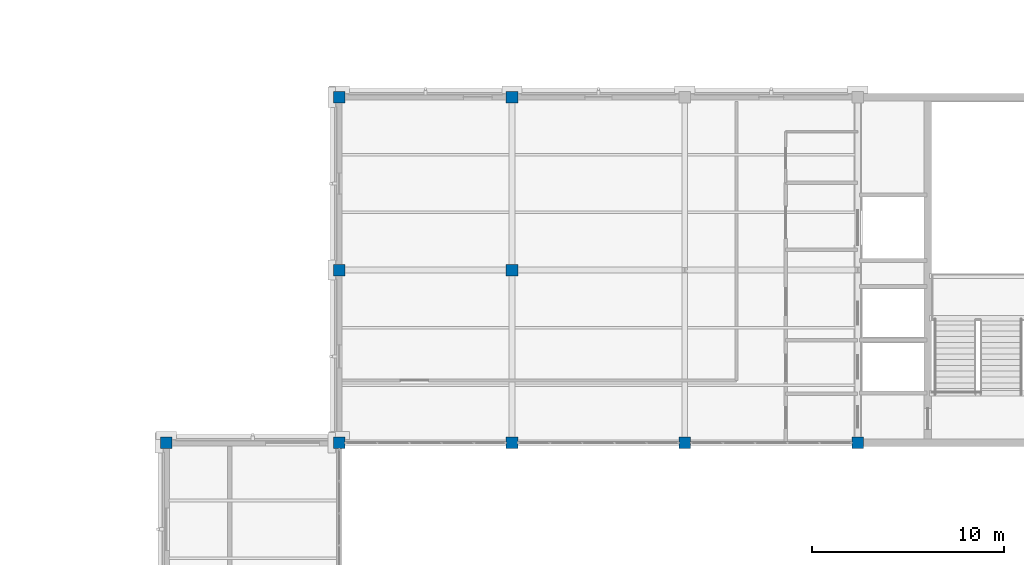
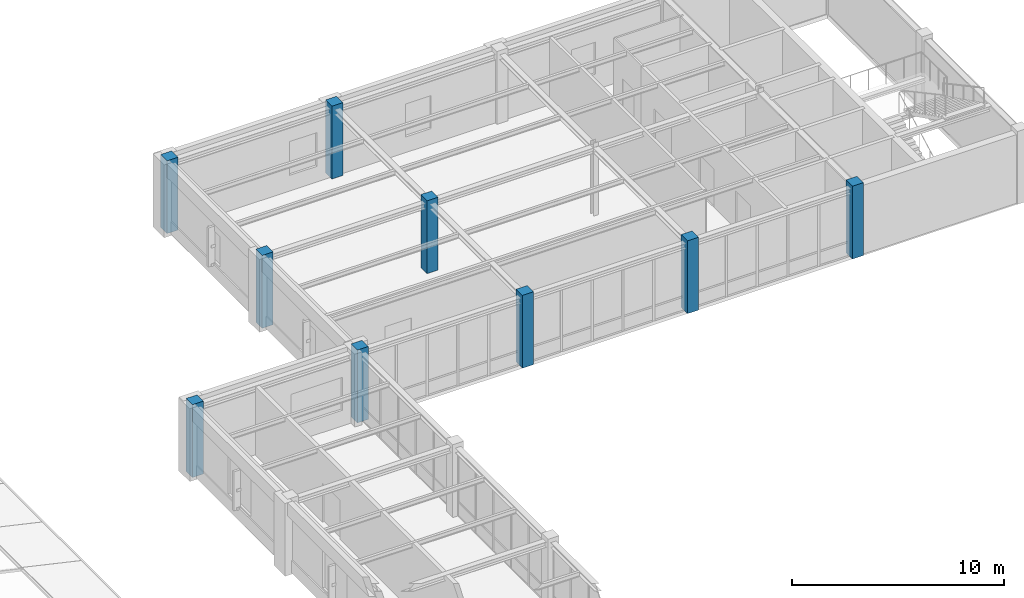
# One storey, part 10 of 130: 9 columns.
"""IFC4 building model written with IfcOpenShell, lengths in metres."""

from ifc_helpers import new_model, si_unit, direction, frame, origin, origin_2d, place, context, subcontext, project, spatial, rectangle, extrude, material, material_profile, profile_set, type_object, element, save


model = new_model("IFC4")

# Units and contexts
model_context = context("Model", 3, precision=1e-05, world=origin(), true_north=direction((0.0, 1.0)))
body_context = subcontext(model_context, "Body", "Model", "MODEL_VIEW")
ifc_project = project(units=[si_unit("LENGTHUNIT", "METRE"), si_unit("AREAUNIT", "SQUARE_METRE"), si_unit("VOLUMEUNIT", "CUBIC_METRE"), si_unit("PLANEANGLEUNIT", "RADIAN"), si_unit("MASSUNIT", "GRAM", prefix="KILO")], contexts=[model_context])

# Site, building, storey
site_placement = place(None, origin())
site = spatial("IfcSite", under=ifc_project, at=site_placement, CompositionType="ELEMENT")
building_placement = place(site_placement, origin())
building = spatial("IfcBuilding", under=site, at=building_placement, Name="Lykobir Media Centre", CompositionType="ELEMENT")
storey_placement = place(building_placement, frame((0.0, 0.0, 19.199951171875)))
storey = spatial("IfcBuildingStorey", under=building, at=storey_placement, Name="L04", CompositionType="ELEMENT", Elevation=19.199951171875)

# Columns
ifc_material = material(Name="Concrete C40/50", Category="concrete")
ifc_material_profile_1 = material_profile(ifc_material, rectangle(XDim=0.60009765625, YDim=0.60009765625, at=origin_2d()), Name="RC 600x600")
ifc_profile_set_1 = profile_set([ifc_material_profile_1], Name="Concrete C40/50")
column_type_1 = type_object("IfcColumnType", Name="RC-C600", PredefinedType="COLUMN", material=ifc_profile_set_1)
for number, where, z_axis, x_axis, name in (
    (1, (99.0, 72.0, 0.0), (0.0, 0.0, 1.0), (1.0, 0.0, 0.0), "Column COL-L04-0990-0720"),
    (2, (99.0, 81.0, 0.0), (0.0, 0.0, 1.0), (1.0, 0.0, 0.0), "Column COL-L04-0990-0810"),
    (3, (99.0, 90.0, 0.0), (0.0, 0.0, 1.0), (1.0, 0.0, 0.0), "Column COL-L04-0990-0900"),
    (4, (108.0, 72.0, 0.0), (0.0, 0.0, 1.0), (1.0, 0.0, 0.0), "Column COL-L04-1080-0720"),
    (5, (108.0, 81.0, 0.0), (0.0, 0.0, 1.0), (1.0, 0.0, 0.0), "Column COL-L04-1080-0810"),
    (6, (108.0, 90.0, 0.0), (0.0, 0.0, 1.0), (1.0, 0.0, 0.0), "Column COL-L04-1080-0900"),
    (7, (117.0, 72.0, 0.0), (0.0, 0.0, 1.0), (1.0, 0.0, 0.0), "Column COL-L04-1170-0720"),
    (8, (126.0, 72.0, 0.0), (0.0, 0.0, 1.0), (1.0, 0.0, 0.0), "Column COL-L04-1260-0720"),
):
    element("IfcColumn", number, at=place(storey_placement, frame(where, z_axis=z_axis, x_axis=x_axis)), inside=storey, type_object=column_type_1, Name=name, PredefinedType="COLUMN", context=body_context, shape_type="SweptSolid", body=[
        extrude(rectangle(XDim=0.60009765625, YDim=0.60009765625, at=origin_2d()), origin(), (0.0, 0.0, 1.0), 4.199951171875),
    ])
ifc_material_profile_2 = material_profile(ifc_material, rectangle(XDim=0.60009765625, YDim=0.60009765625, at=origin_2d()), Name="RC 600x600")
ifc_profile_set_2 = profile_set([ifc_material_profile_2], Name="Concrete C40/50")
column_type_2 = type_object("IfcColumnType", Name="RC-C600-E", PredefinedType="COLUMN", material=ifc_profile_set_2)
column_placement = place(storey_placement, frame((90.0, 72.0, 0.0), z_axis=(0.0, 0.0, 1.0), x_axis=(1.0, 0.0, 0.0)))
element("IfcColumn", 9, at=column_placement, inside=storey, type_object=column_type_2, Name="Column COL-L04-0900-0720", PredefinedType="COLUMN", context=body_context, shape_type="SweptSolid", body=[
    extrude(rectangle(XDim=0.60009765625, YDim=0.60009765625, at=origin_2d()), origin(), (0.0, 0.0, 1.0), 4.199951171875),
])

save(model, "model.ifc")
